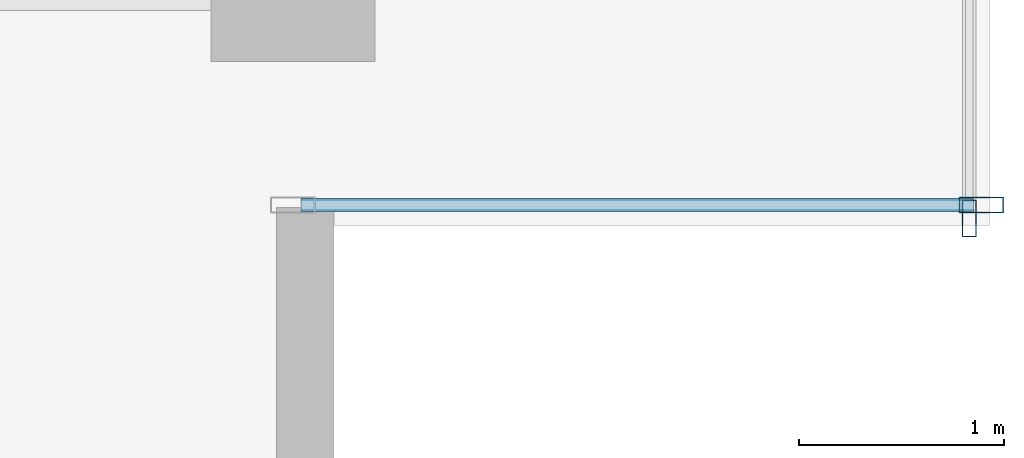
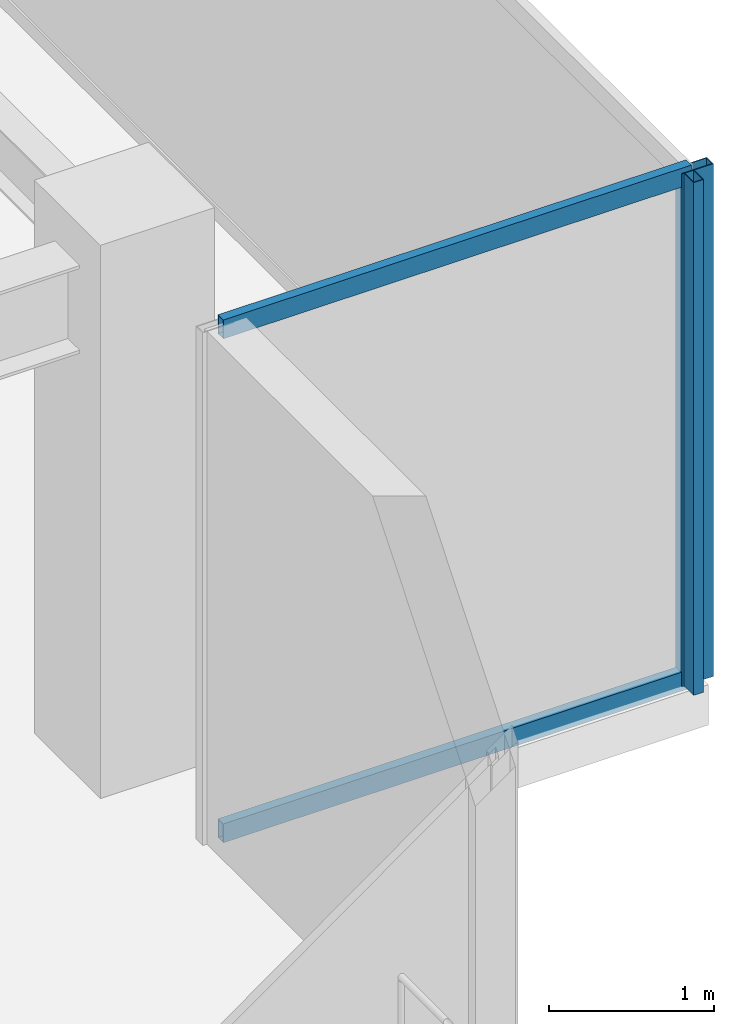
# One storey, part 22 of 34: 4 members, 2 elements without a shape of their own.
"""IFC4 building model written with IfcOpenShell, lengths in metres."""

from ifc_helpers import new_model, si_unit, direction, frame, origin, origin_2d, place, context, subcontext, project, spatial, hollow_rectangle, extrude, source, transform, mapped, material, layer, layer_set, material_profile, profile_set, type_object, type_shapes, element, aggregate, save


model = new_model("IFC4")

# Units and contexts
model_context = context("Model", 3, precision=1e-05, world=origin(), true_north=direction((0.0, 1.0)))
body_context = subcontext(model_context, "Body", "Model", "MODEL_VIEW")
ifc_project = project(units=[si_unit("LENGTHUNIT", "METRE"), si_unit("AREAUNIT", "SQUARE_METRE"), si_unit("VOLUMEUNIT", "CUBIC_METRE"), si_unit("PLANEANGLEUNIT", "RADIAN"), si_unit("MASSUNIT", "GRAM", prefix="KILO")], contexts=[model_context])

# Site, building, storey
site_placement = place(None, origin())
site = spatial("IfcSite", under=ifc_project, at=site_placement, CompositionType="ELEMENT")
building_placement = place(site_placement, origin())
building = spatial("IfcBuilding", under=site, at=building_placement, Name="Haelvirn Gate Laboratories", CompositionType="ELEMENT")
storey_placement = place(building_placement, frame((0.0, 0.0, 205.5)))
storey = spatial("IfcBuildingStorey", under=building, at=storey_placement, Name="L49", CompositionType="ELEMENT", Elevation=205.5)

# Curtain wall, members
ifc_material_1 = material(Name="Anodised bronze unitised aluminium & triple low-E glass", Category="aluminium")
ifc_layer_1 = layer(ifc_material_1, 0.181884765625, Name="CW-SYS-5")
ifc_layer_set_1 = layer_set([ifc_layer_1], Name="Anodised bronze unitised aluminium & triple low-E glass")
curtain_wall_type_1 = type_object("IfcCurtainWallType", Name="CW-SYS-5", PredefinedType="NOTDEFINED", material=ifc_layer_set_1)
curtain_wall_1_placement = place(storey_placement, origin())
curtain_wall_1 = element("IfcCurtainWall", 1, at=curtain_wall_1_placement, inside=storey, type_object=curtain_wall_type_1, Name="L49 Unitised Curtain Wall CW-L49-P0-E06-1", PredefinedType="NOTDEFINED")
ifc_material_2 = material(Name="Extruded aluminium 6063-T6 (anodised bronze)", Category="aluminium")
ifc_material_profile_1 = material_profile(ifc_material_2, hollow_rectangle(XDim=0.06494140625, YDim=0.139892578125, WallThickness=0.00390625, at=origin_2d()), Name="CWT-140x65x4")
ifc_profile_set_1 = profile_set([ifc_material_profile_1], Name="Extruded aluminium 6063-T6 (anodised bronze)")
member_type_1 = type_object("IfcMemberType", Name="CWT-T140", PredefinedType="USERDEFINED", material=ifc_profile_set_1)
shared_shape_1 = source(origin(), body_context, "Body", "SweptSolid", [
    extrude(hollow_rectangle(XDim=0.06494140625, YDim=0.139892578125, WallThickness=0.00390625, at=origin_2d()), origin(), (0.0, 0.0, 1.0), 3.280029296875),
])
type_shapes(member_type_1, [shared_shape_1])
member_1_placement = place(storey_placement, frame((67.43994140625, 5.89990234375, 0.032470703125), z_axis=(1.0, 0.0, 0.0), x_axis=(0.0, 1.0, 0.0)))
member_1 = element("IfcMember", 2, at=member_1_placement, type_object=member_type_1, Name="CW5 transom 1.1", ObjectType="TRANSOM", PredefinedType="USERDEFINED", context=body_context, shape_type="MappedRepresentation", body=[
    mapped(shared_shape_1, transform((0.0, 0.0, 0.0), scale=1.0)),
])
member_2_placement = place(storey_placement, frame((67.43994140625, 5.89990234375, 3.767578125), z_axis=(1.0, 0.0, 0.0), x_axis=(0.0, 1.0, 0.0)))
member_2 = element("IfcMember", 3, at=member_2_placement, type_object=member_type_1, Name="CW5 transom 1.2", ObjectType="TRANSOM", PredefinedType="USERDEFINED", context=body_context, shape_type="MappedRepresentation", body=[
    mapped(shared_shape_1, transform((0.0, 0.0, 0.0), scale=1.0)),
])

# Curtain wall, member
ifc_layer_2 = layer(ifc_material_1, 0.176025390625, Name="CW-SYS-4")
ifc_layer_set_2 = layer_set([ifc_layer_2], Name="Anodised bronze unitised aluminium & triple low-E glass")
curtain_wall_type_2 = type_object("IfcCurtainWallType", Name="CW-SYS-4", PredefinedType="NOTDEFINED", material=ifc_layer_set_2)
curtain_wall_2_placement = place(storey_placement, origin())
curtain_wall_2 = element("IfcCurtainWall", 4, at=curtain_wall_2_placement, inside=storey, type_object=curtain_wall_type_2, Name="L49 Unitised Curtain Wall CW-L49-P0-E07", PredefinedType="NOTDEFINED")
ifc_material_profile_2 = material_profile(ifc_material_2, hollow_rectangle(XDim=0.070068359375, YDim=0.179931640625, WallThickness=0.0048828125, at=origin_2d()), Name="CWM-180x70x5")
ifc_profile_set_2 = profile_set([ifc_material_profile_2], Name="Extruded aluminium 6063-T6 (anodised bronze)")
member_type_2 = type_object("IfcMemberType", Name="CWM-T180", PredefinedType="MULLION", material=ifc_profile_set_2)
shared_shape_2 = source(origin(), body_context, "Body", "SweptSolid", [
    extrude(hollow_rectangle(XDim=0.070068359375, YDim=0.179931640625, WallThickness=0.0048828125, at=origin_2d()), origin(), (0.0, 0.0, 1.0), 3.800048828125),
])
type_shapes(member_type_2, [shared_shape_2])
member_3_placement = place(storey_placement, frame((70.699951171875, 5.8349609375, 0.0), z_axis=(0.0, 0.0, 1.0), x_axis=(-1.0, 0.0, 0.0)))
member_3 = element("IfcMember", 5, at=member_3_placement, type_object=member_type_2, Name="CW4 mullion 1", PredefinedType="MULLION", context=body_context, shape_type="MappedRepresentation", body=[
    mapped(shared_shape_2, transform((0.0, 0.0, 0.0), scale=1.0)),
])
aggregate(curtain_wall_2, [member_3])

# Member
ifc_material_profile_3 = material_profile(ifc_material_2, hollow_rectangle(XDim=0.080078125, YDim=0.219970703125, WallThickness=0.006103515625, at=origin_2d()), Name="CWM-220x80x6")
ifc_profile_set_3 = profile_set([ifc_material_profile_3], Name="Extruded aluminium 6063-T6 (anodised bronze)")
member_type_3 = type_object("IfcMemberType", Name="CWM-T220", PredefinedType="MULLION", material=ifc_profile_set_3)
shared_shape_3 = source(origin(), body_context, "Body", "SweptSolid", [
    extrude(hollow_rectangle(XDim=0.080078125, YDim=0.219970703125, WallThickness=0.006103515625, at=origin_2d()), origin(), (0.0, 0.0, 1.0), 3.800048828125),
])
type_shapes(member_type_3, [shared_shape_3])
member_4_placement = place(storey_placement, frame((70.760009765625, 5.89990234375, 0.0), z_axis=(0.0, 0.0, 1.0), x_axis=(0.0, 1.0, 0.0)))
member_4 = element("IfcMember", 6, at=member_4_placement, type_object=member_type_3, Name="CW5 mullion 2", PredefinedType="MULLION", context=body_context, shape_type="MappedRepresentation", body=[
    mapped(shared_shape_3, transform((0.0, 0.0, 0.0), scale=1.0)),
])

aggregate(curtain_wall_1, [member_4, member_1, member_2])

save(model, "model.ifc")
